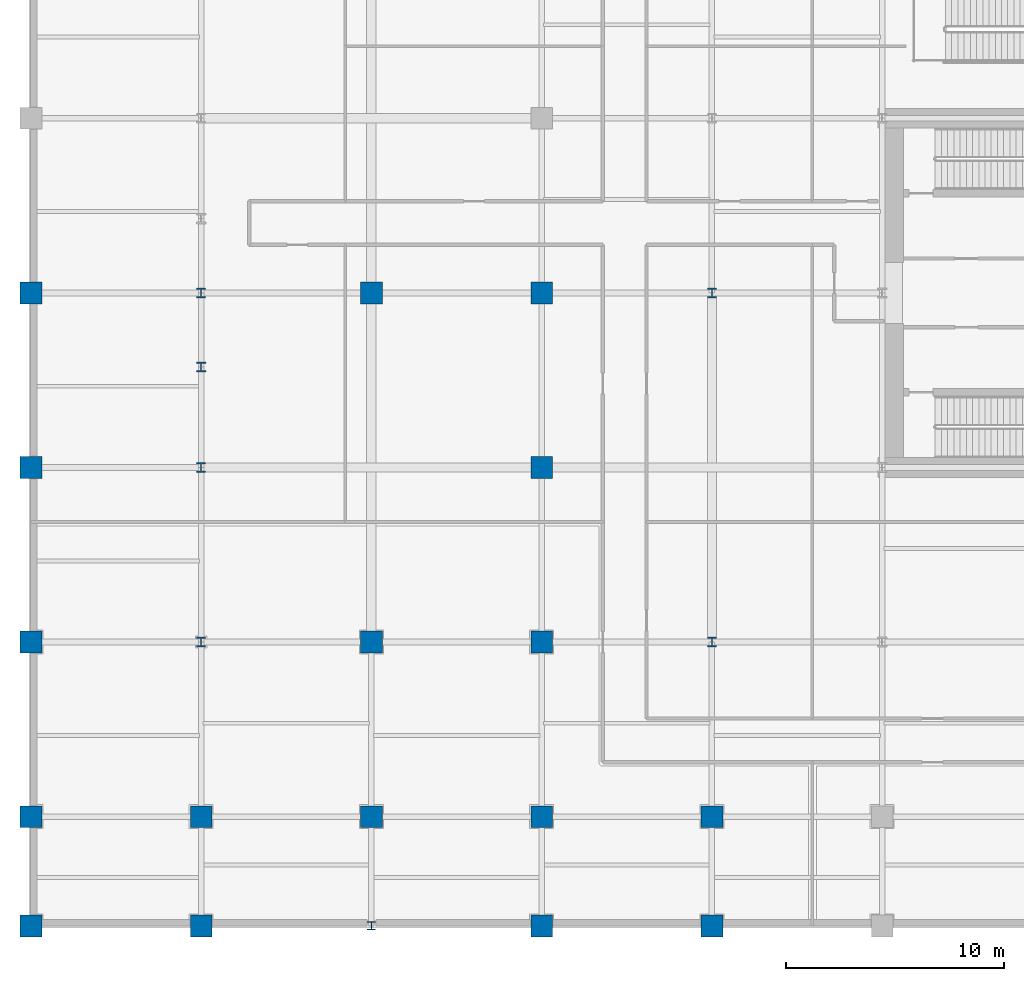
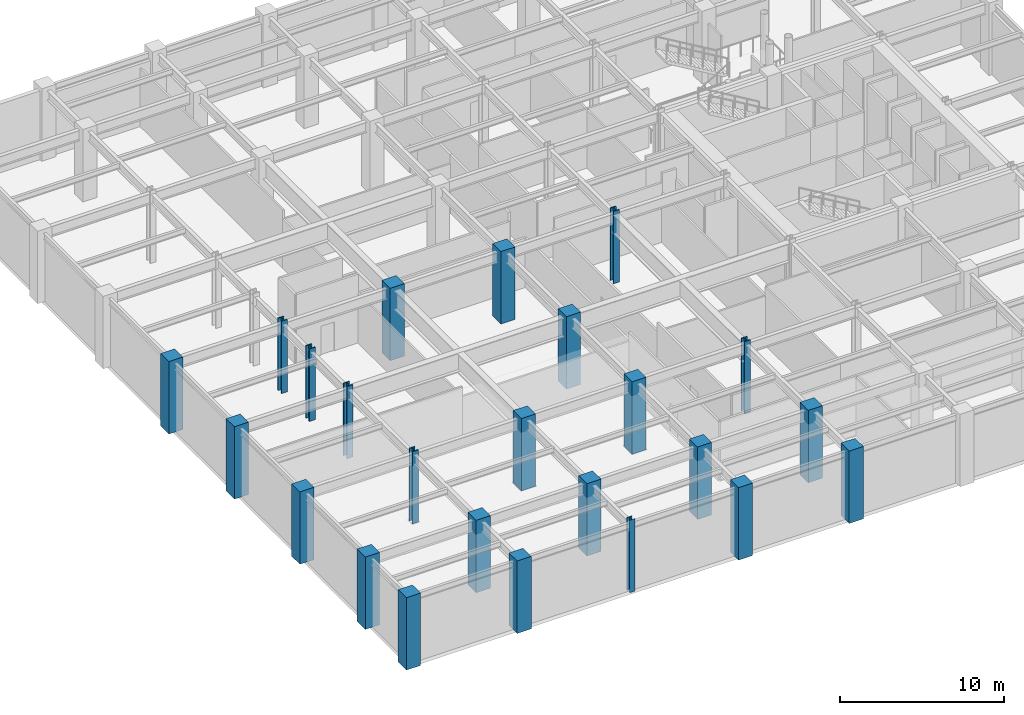
# One storey, part 1 of 12: 24 columns.
"""IFC4 building model written with IfcOpenShell, lengths in metres."""

from ifc_helpers import new_model, si_unit, direction, frame, origin, origin_2d, place, context, subcontext, project, spatial, rectangle, i_section, extrude, material, material_profile, profile_set, type_object, element, save


model = new_model("IFC4")

# Units and contexts
model_context = context("Model", 3, precision=1e-05, world=origin(), true_north=direction((0.0, 1.0)))
body_context = subcontext(model_context, "Body", "Model", "MODEL_VIEW")
ifc_project = project(units=[si_unit("LENGTHUNIT", "METRE"), si_unit("AREAUNIT", "SQUARE_METRE"), si_unit("VOLUMEUNIT", "CUBIC_METRE"), si_unit("PLANEANGLEUNIT", "RADIAN"), si_unit("MASSUNIT", "GRAM", prefix="KILO")], contexts=[model_context])

# Site, building, storey
site_placement = place(None, origin())
site = spatial("IfcSite", under=ifc_project, at=site_placement, CompositionType="ELEMENT")
building_placement = place(site_placement, origin())
building = spatial("IfcBuilding", under=site, at=building_placement, Name="Veymaron Broadcast Tower", CompositionType="ELEMENT")
storey_placement = place(building_placement, frame((0.0, 0.0, 10.800048828125)))
storey = spatial("IfcBuildingStorey", under=building, at=storey_placement, Name="L02", CompositionType="ELEMENT", Elevation=10.800048828125)

# Columns
ifc_material_1 = material(Name="Structural steel ASTM A913 Gr 65", Category="steel")
ifc_material_profile_1 = material_profile(ifc_material_1, i_section(OverallWidth=0.424072265625, OverallDepth=0.47412109375, WebThickness=0.047607421875, FlangeThickness=0.076904296875, at=origin_2d()), Name="W360X634")
ifc_profile_set_1 = profile_set([ifc_material_profile_1], Name="Structural steel ASTM A913 Gr 65")
column_type_1 = type_object("IfcColumnType", Name="COL-MC1", PredefinedType="COLUMN", material=ifc_profile_set_1)
column_1_placement = place(storey_placement, frame((7.800048828125, 20.60009765625, 0.0), z_axis=(0.0, 0.0, 1.0), x_axis=(1.0, 0.0, 0.0)))
element("IfcColumn", 1, at=column_1_placement, inside=storey, type_object=column_type_1, Name="L02 Mega Column podium base", PredefinedType="COLUMN", context=body_context, shape_type="SweptSolid", body=[
    extrude(i_section(OverallWidth=0.424072265625, OverallDepth=0.47412109375, WebThickness=0.047607421875, FlangeThickness=0.076904296875, at=origin_2d()), origin(), (0.0, 0.0, 1.0), 5.39404296875),
])
ifc_material_profile_2 = material_profile(ifc_material_1, i_section(OverallWidth=0.41796875, OverallDepth=0.455078125, WebThickness=0.0419921875, FlangeThickness=0.067626953125, at=origin_2d()), Name="W360X551")
ifc_profile_set_2 = profile_set([ifc_material_profile_2], Name="Structural steel ASTM A913 Gr 65")
column_type_2 = type_object("IfcColumnType", Name="COL-MC2", PredefinedType="COLUMN", material=ifc_profile_set_2)
for number, where, z_axis, x_axis, name in (
    (2, (7.800048828125, 8.0, 0.0), (0.0, 0.0, 1.0), (1.0, 0.0, 0.0), "L02 column (7.8, 8.0)"),
    (3, (7.800048828125, 16.0, 0.0), (0.0, 0.0, 1.0), (1.0, 0.0, 0.0), "L02 column (7.8, 16.0)"),
    (4, (7.800048828125, 24.0, 0.0), (0.0, 0.0, 1.0), (1.0, 0.0, 0.0), "L02 column (7.8, 24.0)"),
    (5, (31.199951171875, 8.0, 0.0), (0.0, 0.0, 1.0), (1.0, 0.0, 0.0), "L02 column (31.2, 8.0)"),
    (6, (31.199951171875, 24.0, 0.0), (0.0, 0.0, 1.0), (1.0, 0.0, 0.0), "L02 column (31.2, 24.0)"),
):
    element("IfcColumn", number, at=place(storey_placement, frame(where, z_axis=z_axis, x_axis=x_axis)), inside=storey, type_object=column_type_2, Name=name, PredefinedType="COLUMN", context=body_context, shape_type="SweptSolid", body=[
        extrude(i_section(OverallWidth=0.41796875, OverallDepth=0.455078125, WebThickness=0.0419921875, FlangeThickness=0.067626953125, at=origin_2d()), origin(), (0.0, 0.0, 1.0), 5.39501953125),
    ])
ifc_material_2 = material(Name="Concrete C60/75", Category="concrete")
ifc_material_profile_3 = material_profile(ifc_material_2, rectangle(XDim=1.0, YDim=1.0, at=origin_2d()), Name="RC1000X1000")
ifc_profile_set_3 = profile_set([ifc_material_profile_3], Name="Concrete C60/75")
column_type_3 = type_object("IfcColumnType", Name="COL-RC3", PredefinedType="COLUMN", material=ifc_profile_set_3)
for number, where, z_axis, x_axis, name in (
    (7, (0.0, -5.0, 0.0), (0.0, 0.0, 1.0), (1.0, 0.0, 0.0), "L02 column (0.0, -5.0)"),
    (8, (0.0, 0.0, 0.0), (0.0, 0.0, 1.0), (1.0, 0.0, 0.0), "L02 column (0.0, 0.0)"),
    (9, (0.0, 8.0, 0.0), (0.0, 0.0, 1.0), (1.0, 0.0, 0.0), "L02 column (0.0, 8.0)"),
    (10, (0.0, 16.0, 0.0), (0.0, 0.0, 1.0), (1.0, 0.0, 0.0), "L02 column (0.0, 16.0)"),
    (11, (0.0, 24.0, 0.0), (0.0, 0.0, 1.0), (1.0, 0.0, 0.0), "L02 column (0.0, 24.0)"),
    (12, (7.800048828125, -5.0, 0.0), (0.0, 0.0, 1.0), (1.0, 0.0, 0.0), "L02 column (7.8, -5.0)"),
    (13, (7.800048828125, 0.0, 0.0), (0.0, 0.0, 1.0), (1.0, 0.0, 0.0), "L02 column (7.8, 0.0)"),
    (14, (15.60009765625, 0.0, 0.0), (0.0, 0.0, 1.0), (1.0, 0.0, 0.0), "L02 column (15.6, 0.0)"),
    (15, (15.60009765625, 8.0, 0.0), (0.0, 0.0, 1.0), (1.0, 0.0, 0.0), "L02 column (15.6, 8.0)"),
    (16, (15.60009765625, 24.0, 0.0), (0.0, 0.0, 1.0), (1.0, 0.0, 0.0), "L02 column (15.6, 24.0)"),
    (17, (23.39990234375, -5.0, 0.0), (0.0, 0.0, 1.0), (1.0, 0.0, 0.0), "L02 column (23.4, -5.0)"),
    (18, (23.39990234375, 0.0, 0.0), (0.0, 0.0, 1.0), (1.0, 0.0, 0.0), "L02 column (23.4, 0.0)"),
    (19, (23.39990234375, 8.0, 0.0), (0.0, 0.0, 1.0), (1.0, 0.0, 0.0), "L02 column (23.4, 8.0)"),
    (20, (23.39990234375, 16.0, 0.0), (0.0, 0.0, 1.0), (1.0, 0.0, 0.0), "L02 column (23.4, 16.0)"),
    (21, (23.39990234375, 24.0, 0.0), (0.0, 0.0, 1.0), (1.0, 0.0, 0.0), "L02 column (23.4, 24.0)"),
    (22, (31.199951171875, -5.0, 0.0), (0.0, 0.0, 1.0), (1.0, 0.0, 0.0), "L02 column (31.2, -5.0)"),
    (23, (31.199951171875, 0.0, 0.0), (0.0, 0.0, 1.0), (1.0, 0.0, 0.0), "L02 column (31.2, 0.0)"),
):
    element("IfcColumn", number, at=place(storey_placement, frame(where, z_axis=z_axis, x_axis=x_axis)), inside=storey, type_object=column_type_3, Name=name, PredefinedType="COLUMN", context=body_context, shape_type="SweptSolid", body=[
        extrude(rectangle(XDim=1.0, YDim=1.0, at=origin_2d()), origin(), (0.0, 0.0, 1.0), 5.39501953125),
    ])
ifc_material_3 = material(Name="Structural steel ASTM A992 Gr 50", Category="steel")
ifc_material_profile_4 = material_profile(ifc_material_3, i_section(OverallWidth=0.3701171875, OverallDepth=0.360107421875, WebThickness=0.01220703125, FlangeThickness=0.019775390625, at=origin_2d()), Name="W360X147")
ifc_profile_set_4 = profile_set([ifc_material_profile_4], Name="Structural steel ASTM A992 Gr 50")
column_type_4 = type_object("IfcColumnType", Name="COL-SC1", PredefinedType="COLUMN", material=ifc_profile_set_4)
column_2_placement = place(storey_placement, frame((15.60009765625, -5.0, 0.0), z_axis=(0.0, 0.0, 1.0), x_axis=(1.0, 0.0, 0.0)))
element("IfcColumn", 24, at=column_2_placement, inside=storey, type_object=column_type_4, Name="L02 column (15.6, -5.0)", PredefinedType="COLUMN", context=body_context, shape_type="SweptSolid", body=[
    extrude(i_section(OverallWidth=0.3701171875, OverallDepth=0.360107421875, WebThickness=0.01220703125, FlangeThickness=0.019775390625, at=origin_2d()), origin(), (0.0, 0.0, 1.0), 5.39501953125),
])

save(model, "model.ifc")
